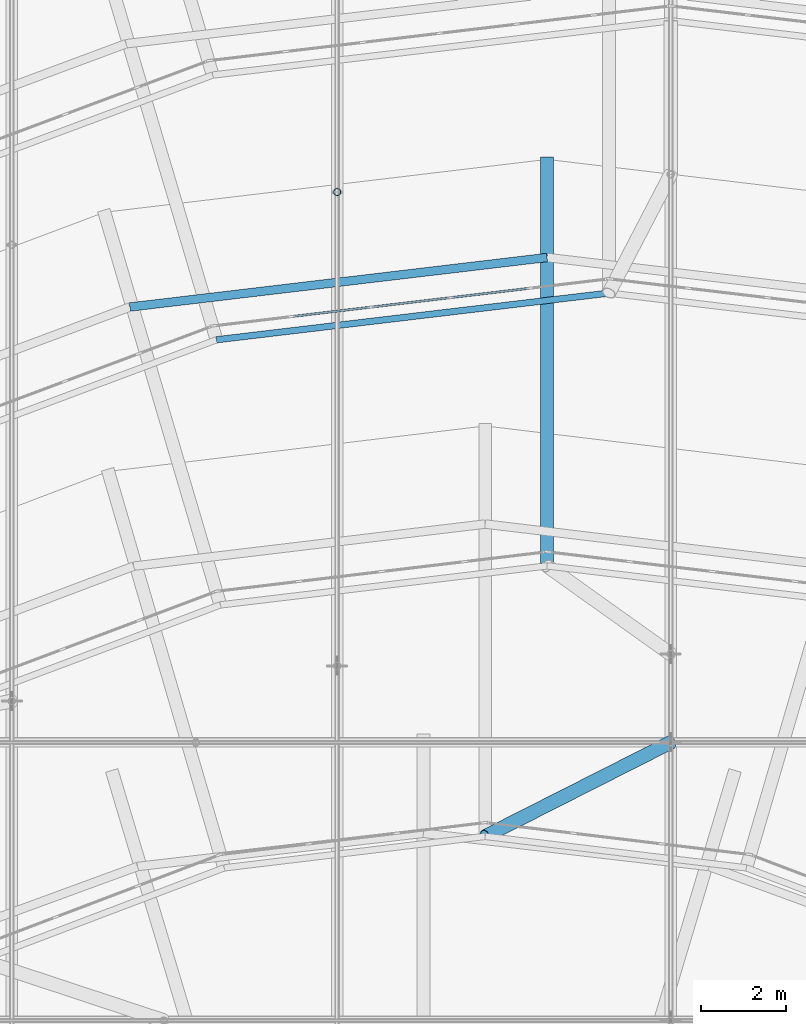
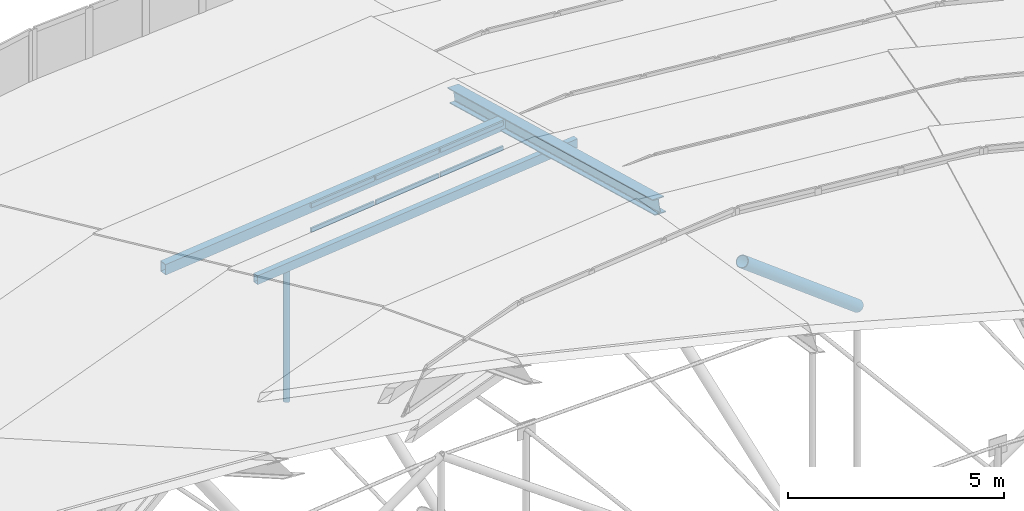
# One storey, part 110 of 173: 11 members, 1 element without a shape of its own.
"""IFC4 building model written with IfcOpenShell, lengths in metres."""

from ifc_helpers import new_model, si_unit, direction, frame, origin, origin_2d, place, context, subcontext, project, spatial, rectangle, hollow_rectangle, hollow_circle, i_section, extrude, material, material_profile, profile_set, type_object, element, aggregate, save


model = new_model("IFC4")

# Units and contexts
model_context = context("Model", 3, precision=1e-05, world=origin(), true_north=direction((0.0, 1.0)))
body_context = subcontext(model_context, "Body", "Model", "MODEL_VIEW")
ifc_project = project(units=[si_unit("LENGTHUNIT", "METRE"), si_unit("AREAUNIT", "SQUARE_METRE"), si_unit("VOLUMEUNIT", "CUBIC_METRE"), si_unit("PLANEANGLEUNIT", "RADIAN"), si_unit("MASSUNIT", "GRAM", prefix="KILO")], contexts=[model_context])

# Site, building, storey
site_placement = place(None, origin())
site = spatial("IfcSite", under=ifc_project, at=site_placement, CompositionType="ELEMENT")
building_placement = place(site_placement, origin())
building = spatial("IfcBuilding", under=site, at=building_placement, Name="Glasvene Arena", CompositionType="ELEMENT")
storey_placement = place(building_placement, frame((0.0, 0.0, 28.800048828125)))
storey = spatial("IfcBuildingStorey", under=building, at=storey_placement, Name="RF", CompositionType="ELEMENT", Elevation=28.800048828125)

# Curtain wall, members
ifc_material_1 = material(Name="Low-emissivity laminated double glazing", Category="glass")
curtain_wall_type = type_object("IfcCurtainWallType", Name="CW-PET2-936x75", PredefinedType="USERDEFINED", material=ifc_material_1)
curtain_wall_placement = place(storey_placement, frame((90.550048828125, 104.300048828125, 0.0)))
curtain_wall = element("IfcCurtainWall", 1, at=curtain_wall_placement, inside=storey, type_object=curtain_wall_type, Name="Petal ring 2-3 clerestory curtain wall 07", ObjectType="CURTAIN WALL", PredefinedType="USERDEFINED")
ifc_material_2 = material(Name="Anodised architectural aluminium", Category="aluminium")
ifc_material_profile_1 = material_profile(ifc_material_2, rectangle(XDim=0.050048828125, YDim=0.1201171875, at=origin_2d()), Name="ALU TRANSOM 50x120")
ifc_profile_set_1 = profile_set([ifc_material_profile_1], Name="Anodised architectural aluminium")
member_type_1 = type_object("IfcMemberType", Name="CW-TRN-120", PredefinedType="USERDEFINED", material=ifc_profile_set_1)
member_1_placement = place(storey_placement, frame((88.666748046875, 104.075927734375, 5.204833984375), z_axis=(-0.992986775597, -0.118225477332, 0.0), x_axis=(0.118225477332, -0.992986775597, 0.0)))
member_1 = element("IfcMember", 2, at=member_1_placement, type_object=member_type_1, Name="CW-092 transom 2.1", ObjectType="TRANSOM", PredefinedType="USERDEFINED", context=body_context, shape_type="SweptSolid", body=[
    extrude(rectangle(XDim=0.050048828125, YDim=0.1201171875, at=origin_2d()), origin(), (0.0, 0.0, 1.0), 1.8212890625),
])
member_2_placement = place(storey_placement, frame((88.666748046875, 104.075927734375, 5.905029296875), z_axis=(-0.992986775597, -0.118225477332, 0.0), x_axis=(0.118225477332, -0.992986775597, 0.0)))
member_2 = element("IfcMember", 3, at=member_2_placement, type_object=member_type_1, Name="CW-092 transom 2.2", ObjectType="TRANSOM", PredefinedType="USERDEFINED", context=body_context, shape_type="SweptSolid", body=[
    extrude(rectangle(XDim=0.050048828125, YDim=0.1201171875, at=origin_2d()), origin(), (0.0, 0.0, 1.0), 1.8212890625),
])
member_3_placement = place(storey_placement, frame((86.80859375, 103.854736328125, 5.204833984375), z_axis=(-0.993004372164, -0.118077588322, 0.0), x_axis=(0.118077588322, -0.993004372164, 0.0)))
member_3 = element("IfcMember", 4, at=member_3_placement, type_object=member_type_1, Name="CW-092 transom 3.1", ObjectType="TRANSOM", PredefinedType="USERDEFINED", context=body_context, shape_type="SweptSolid", body=[
    extrude(rectangle(XDim=0.050048828125, YDim=0.1201171875, at=origin_2d()), origin(), (0.0, 0.0, 1.0), 1.821533203125),
])
member_4_placement = place(storey_placement, frame((86.80859375, 103.854736328125, 5.905029296875), z_axis=(-0.993004372164, -0.118077588322, 0.0), x_axis=(0.118077588322, -0.993004372164, 0.0)))
member_4 = element("IfcMember", 5, at=member_4_placement, type_object=member_type_1, Name="CW-092 transom 3.2", ObjectType="TRANSOM", PredefinedType="USERDEFINED", context=body_context, shape_type="SweptSolid", body=[
    extrude(rectangle(XDim=0.050048828125, YDim=0.1201171875, at=origin_2d()), origin(), (0.0, 0.0, 1.0), 1.821533203125),
])
member_5_placement = place(storey_placement, frame((84.9501953125, 103.633544921875, 5.204833984375), z_axis=(-0.993002503147, -0.118093305247, 0.0), x_axis=(0.118093305247, -0.993002503147, 0.0)))
member_5 = element("IfcMember", 6, at=member_5_placement, type_object=member_type_1, Name="CW-092 transom 4.1", ObjectType="TRANSOM", PredefinedType="USERDEFINED", context=body_context, shape_type="SweptSolid", body=[
    extrude(rectangle(XDim=0.050048828125, YDim=0.1201171875, at=origin_2d()), origin(), (0.0, 0.0, 1.0), 1.8212890625),
])
member_6_placement = place(storey_placement, frame((84.9501953125, 103.633544921875, 5.905029296875), z_axis=(-0.993002503147, -0.118093305247, 0.0), x_axis=(0.118093305247, -0.993002503147, 0.0)))
member_6 = element("IfcMember", 7, at=member_6_placement, type_object=member_type_1, Name="CW-092 transom 4.2", ObjectType="TRANSOM", PredefinedType="USERDEFINED", context=body_context, shape_type="SweptSolid", body=[
    extrude(rectangle(XDim=0.050048828125, YDim=0.1201171875, at=origin_2d()), origin(), (0.0, 0.0, 1.0), 1.8212890625),
])
aggregate(curtain_wall, [member_1, member_2, member_3, member_4, member_5, member_6])

# Members
ifc_material_3 = material(Name="Steel S355J2", Category="steel")
ifc_material_profile_2 = material_profile(ifc_material_3, i_section(OverallWidth=0.300048828125, OverallDepth=0.39990234375, WebThickness=0.013427734375, FlangeThickness=0.02392578125, FilletRadius=0.027099609375, at=origin_2d()), Name="HEB 400")
ifc_profile_set_2 = profile_set([ifc_material_profile_2], Name="Steel S355J2")
member_type_2 = type_object("IfcMemberType", Name="MB-CHORD-HEB400", PredefinedType="CHORD", material=ifc_profile_set_2)
member_7_placement = place(storey_placement, frame((89.10009765625, 107.10009765625, 4.75), z_axis=(0.0, -0.964752985197, 0.263157134717), x_axis=(1.0, 0.0, 0.0)))
element("IfcMember", 8, at=member_7_placement, inside=storey, type_object=member_type_2, Name="Petal ring 3 radial rib 07", PredefinedType="CHORD", context=body_context, shape_type="SweptSolid", body=[
    extrude(i_section(OverallWidth=0.300048828125, OverallDepth=0.39990234375, WebThickness=0.013427734375, FlangeThickness=0.02392578125, FilletRadius=0.027099609375, at=origin_2d()), origin(), (0.0, 0.0, 1.0), 9.87939453125),
])
ifc_material_profile_3 = material_profile(ifc_material_3, hollow_circle(Radius=0.161865234375, WallThickness=0.01611328125, at=origin_2d()), Name="CHS 323.9x16.0")
ifc_profile_set_3 = profile_set([ifc_material_profile_3], Name="Steel S355J2")
member_type_3 = type_object("IfcMemberType", Name="MB-POST-CHS324", PredefinedType="BRACE", material=ifc_profile_set_3)
member_8_placement = place(storey_placement, frame((92.0, 93.4296875, 6.02001953125), z_axis=(-0.681994191399, -0.345437062374, 0.644637230415), x_axis=(0.451853769933, -0.892092019131, 0.0)))
element("IfcMember", 9, at=member_8_placement, inside=storey, type_object=member_type_3, Name="Petal ring 4 ridge support post 07", PredefinedType="BRACE", context=body_context, shape_type="SweptSolid", body=[
    extrude(hollow_circle(Radius=0.161865234375, WallThickness=0.01611328125, at=origin_2d()), origin(), (0.0, 0.0, 1.0), 6.37841796875),
])
ifc_material_profile_4 = material_profile(ifc_material_3, hollow_rectangle(XDim=0.14990234375, YDim=0.25, WallThickness=0.010009765625, at=origin_2d()), Name="RHS 250x150x10.0")
ifc_profile_set_4 = profile_set([ifc_material_profile_4], Name="Steel S355J2")
member_type_4 = type_object("IfcMemberType", Name="MB-PURLIN-RHS250", PredefinedType="PURLIN", material=ifc_profile_set_4)
member_9_placement = place(storey_placement, frame((90.550048828125, 103.964599609375, 4.781982421875), z_axis=(-0.993002332555, -0.118094739685, 0.0), x_axis=(0.118094739685, -0.993002332555, 0.0)))
element("IfcMember", 10, at=member_9_placement, inside=storey, type_object=member_type_4, Name="Petal ring 2 ridge purlin 07", PredefinedType="PURLIN", context=body_context, shape_type="SweptSolid", body=[
    extrude(hollow_rectangle(XDim=0.14990234375, YDim=0.25, WallThickness=0.010009765625, at=origin_2d()), origin(), (0.0, 0.0, 1.0), 9.265869140625),
])
ifc_material_profile_5 = material_profile(ifc_material_3, hollow_rectangle(XDim=0.199951171875, YDim=0.300048828125, WallThickness=0.012451171875, at=origin_2d()), Name="RHS 300x200x12.5")
ifc_profile_set_5 = profile_set([ifc_material_profile_5], Name="Steel S355J2")
member_type_5 = type_object("IfcMemberType", Name="MB-PURLIN-RHS300", PredefinedType="PURLIN", material=ifc_profile_set_5)
member_10_placement = place(storey_placement, frame((89.10009765625, 104.800048828125, 5.33935546875), z_axis=(-0.993021962168, -0.11792956649, 0.0), x_axis=(0.11792956649, -0.993021962168, 0.0)))
element("IfcMember", 11, at=member_10_placement, inside=storey, type_object=member_type_5, Name="Petal ring 3 outer purlin 07", PredefinedType="PURLIN", context=body_context, shape_type="SweptSolid", body=[
    extrude(hollow_rectangle(XDim=0.199951171875, YDim=0.300048828125, WallThickness=0.012451171875, at=origin_2d()), origin(), (0.0, 0.0, 1.0), 9.852294921875),
])
ifc_material_profile_6 = material_profile(ifc_material_3, hollow_circle(Radius=0.084228515625, WallThickness=0.008056640625, at=origin_2d()), Name="CHS 168.3x8.0")
ifc_profile_set_6 = profile_set([ifc_material_profile_6], Name="Steel S355J2")
member_type_6 = type_object("IfcMemberType", Name="MB-WEB-CHS168", PredefinedType="BRACE", material=ifc_profile_set_6)
member_11_placement = place(storey_placement, frame((84.17822265625, 106.33447265625, -1.753173828125), z_axis=(0.0, 0.0, 1.0), x_axis=(1.0, 0.0, 0.0)))
element("IfcMember", 12, at=member_11_placement, inside=storey, type_object=member_type_6, Name="Cable-truss vertical strut NS06-07", PredefinedType="BRACE", context=body_context, shape_type="SweptSolid", body=[
    extrude(hollow_circle(Radius=0.084228515625, WallThickness=0.008056640625, at=origin_2d()), origin(), (0.0, 0.0, 1.0), 3.814208984375),
])

save(model, "model.ifc")
